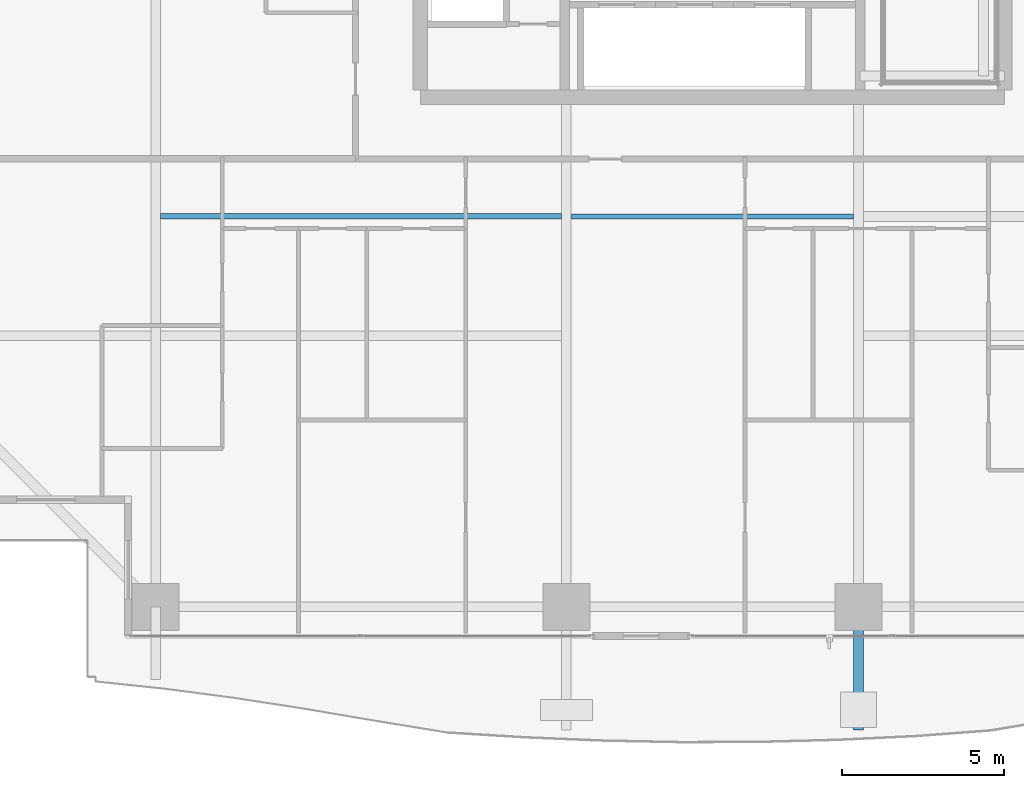
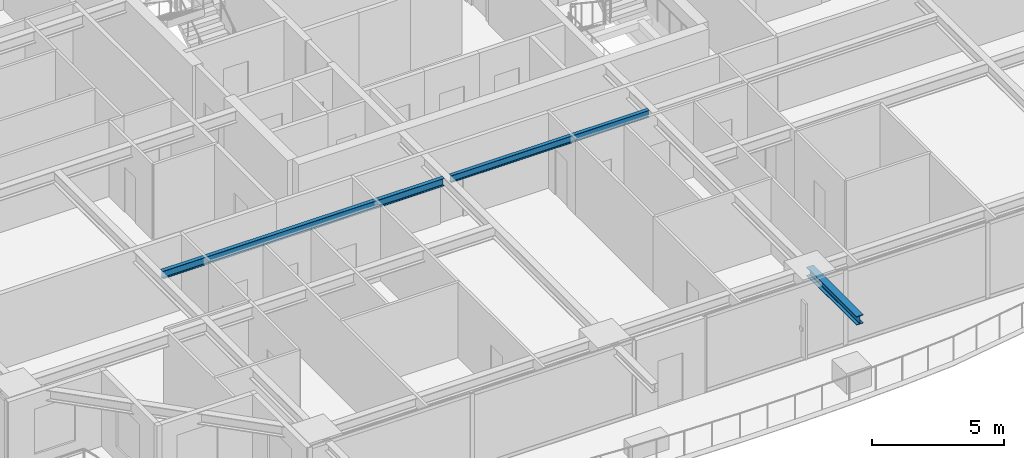
# One storey, part 10 of 41: 3 beams.
"""IFC4 building model written with IfcOpenShell, lengths in metres."""

from ifc_helpers import new_model, si_unit, direction, frame, origin, origin_2d, place, context, subcontext, project, spatial, i_section, extrude, source, transform, mapped, material, material_profile, profile_set, type_object, element, save


model = new_model("IFC4")

# Units and contexts
model_context = context("Model", 3, precision=1e-05, world=origin(), true_north=direction((0.0, 1.0)))
body_context = subcontext(model_context, "Body", "Model", "MODEL_VIEW")
ifc_project = project(units=[si_unit("LENGTHUNIT", "METRE"), si_unit("AREAUNIT", "SQUARE_METRE"), si_unit("VOLUMEUNIT", "CUBIC_METRE"), si_unit("PLANEANGLEUNIT", "RADIAN"), si_unit("MASSUNIT", "GRAM", prefix="KILO")], contexts=[model_context])

# Site, building, storey
site_placement = place(None, origin())
site = spatial("IfcSite", under=ifc_project, at=site_placement, CompositionType="ELEMENT")
building_placement = place(site_placement, origin())
building = spatial("IfcBuilding", under=site, at=building_placement, Name="Serunith Strait Residences", CompositionType="ELEMENT")
storey_placement = place(building_placement, frame((0.0, 0.0, 75.449951171875)))
storey = spatial("IfcBuildingStorey", under=building, at=storey_placement, Name="L18", CompositionType="ELEMENT", Elevation=75.449951171875)

# Beams
ifc_material = material(Name="Steel S355J2", Category="steel")
ifc_material_profile_1 = material_profile(ifc_material, i_section(OverallWidth=0.300048828125, OverallDepth=0.39990234375, WebThickness=0.013427734375, FlangeThickness=0.02392578125, FilletRadius=0.027099609375, at=origin_2d()), Name="HEB 400")
ifc_profile_set_1 = profile_set([ifc_material_profile_1], Name="Steel S355J2")
beam_type_1 = type_object("IfcBeamType", Name="BM-HEB400", PredefinedType="BEAM", material=ifc_profile_set_1)
shared_shape_1 = source(origin(), body_context, "Body", "SweptSolid", [
    extrude(i_section(OverallWidth=0.300048828125, OverallDepth=0.39990234375, WebThickness=0.013427734375, FlangeThickness=0.02392578125, FilletRadius=0.027099609375, at=origin_2d()), origin(), (0.0, 0.0, 1.0), 3.800048828125),
])
beam_1_placement = place(storey_placement, frame((36.89990234375, 1.10009765625, 3.257080078125), z_axis=(0.0, -1.0, 0.0), x_axis=(1.0, 0.0, 0.0)))
element("IfcBeam", 1, at=beam_1_placement, inside=storey, type_object=beam_type_1, Name="L19 Cantilevered Balcony Rib TC-S3", PredefinedType="BEAM", context=body_context, shape_type="MappedRepresentation", body=[
    mapped(shared_shape_1, transform((0.0, 0.0, 0.0), scale=1.0)),
])
ifc_material_profile_2 = material_profile(ifc_material, i_section(OverallWidth=0.169921875, OverallDepth=0.360107421875, WebThickness=0.008056640625, FlangeThickness=0.0126953125, FilletRadius=0.01806640625, at=origin_2d()), Name="IPE 360")
ifc_profile_set_2 = profile_set([ifc_material_profile_2], Name="Steel S355J2")
beam_type_2 = type_object("IfcBeamType", Name="BM-IPE360", PredefinedType="JOIST", material=ifc_profile_set_2)
shared_shape_2 = source(origin(), body_context, "Body", "SweptSolid", [
    extrude(i_section(OverallWidth=0.169921875, OverallDepth=0.360107421875, WebThickness=0.008056640625, FlangeThickness=0.0126953125, FilletRadius=0.01806640625, at=origin_2d()), origin(), (0.0, 0.0, 1.0), 12.35009765625),
])
beam_2_placement = place(storey_placement, frame((15.39990234375, 13.125, 3.30712890625), z_axis=(1.0, 0.0, 0.0), x_axis=(0.0, 1.0, 0.0)))
element("IfcBeam", 2, at=beam_2_placement, inside=storey, type_object=beam_type_2, Name="L18 Composite Floor Joist 01", PredefinedType="JOIST", context=body_context, shape_type="MappedRepresentation", body=[
    mapped(shared_shape_2, transform((0.0, 0.0, 0.0), scale=1.0)),
])
ifc_material_profile_3 = material_profile(ifc_material, i_section(OverallWidth=0.159912109375, OverallDepth=0.330078125, WebThickness=0.007568359375, FlangeThickness=0.011474609375, FilletRadius=0.01806640625, at=origin_2d()), Name="IPE 330")
ifc_profile_set_3 = profile_set([ifc_material_profile_3], Name="Steel S355J2")
beam_type_3 = type_object("IfcBeamType", Name="BM-IPE330", PredefinedType="JOIST", material=ifc_profile_set_3)
shared_shape_3 = source(origin(), body_context, "Body", "SweptSolid", [
    extrude(i_section(OverallWidth=0.159912109375, OverallDepth=0.330078125, WebThickness=0.007568359375, FlangeThickness=0.011474609375, FilletRadius=0.01806640625, at=origin_2d()), origin(), (0.0, 0.0, 1.0), 8.699951171875),
])
beam_3_placement = place(storey_placement, frame((28.050048828125, 13.125, 3.322021484375), z_axis=(1.0, 0.0, 0.0), x_axis=(0.0, 1.0, 0.0)))
element("IfcBeam", 3, at=beam_3_placement, inside=storey, type_object=beam_type_3, Name="L18 Composite Floor Joist 02", PredefinedType="JOIST", context=body_context, shape_type="MappedRepresentation", body=[
    mapped(shared_shape_3, transform((0.0, 0.0, 0.0), scale=1.0)),
])

save(model, "model.ifc")
